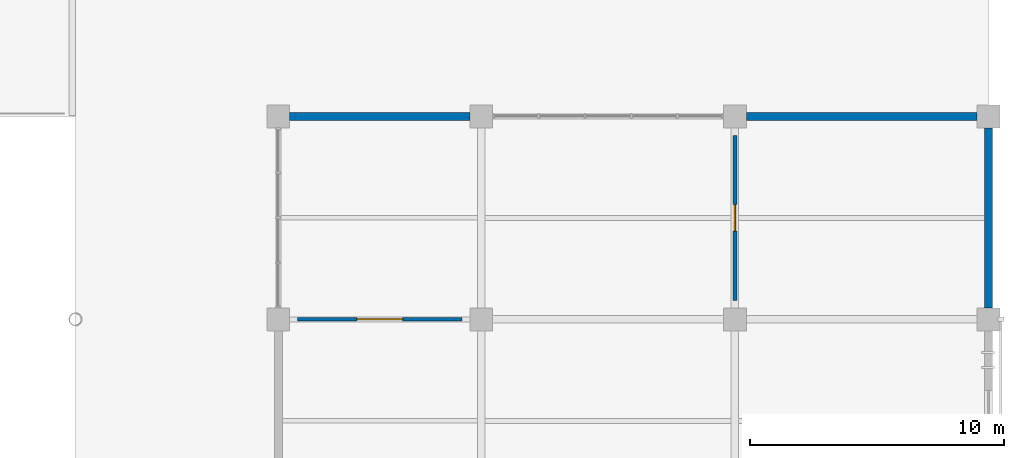
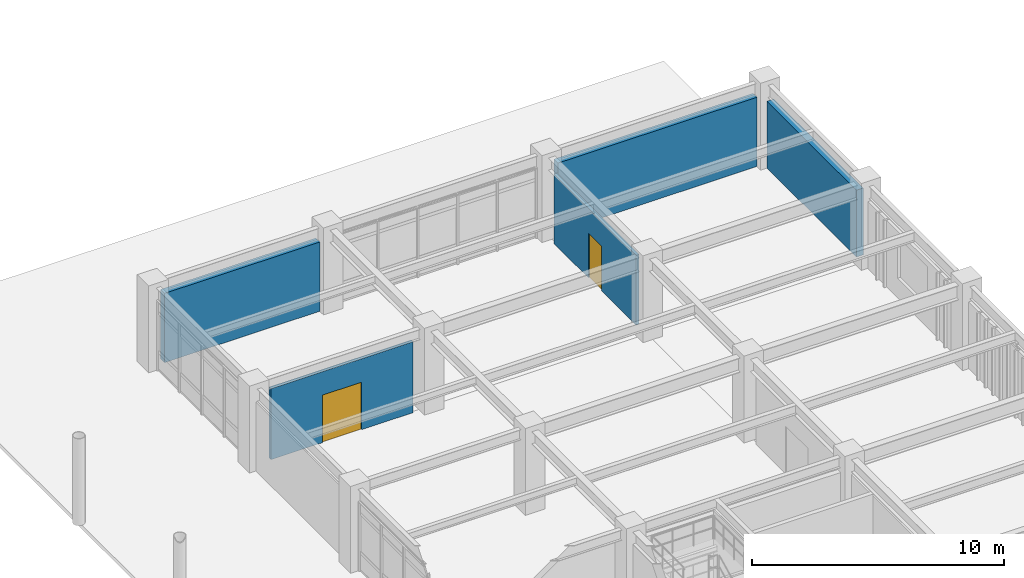
# One storey, part 97 of 118: 5 walls, 2 doors, 2 openings.
"""IFC4 building model written with IfcOpenShell, lengths in metres."""

from ifc_helpers import new_model, si_unit, direction, frame, frame_2d, origin, place, context, subcontext, project, spatial, rectangle, extrude, material, layer, layer_set, type_object, element, fill, save


model = new_model("IFC4")

# Units and contexts
model_context = context("Model", 3, precision=1e-05, world=origin(), true_north=direction((0.0, 1.0)))
body_context = subcontext(model_context, "Body", "Model", "MODEL_VIEW")
ifc_project = project(units=[si_unit("LENGTHUNIT", "METRE"), si_unit("AREAUNIT", "SQUARE_METRE"), si_unit("VOLUMEUNIT", "CUBIC_METRE"), si_unit("PLANEANGLEUNIT", "RADIAN"), si_unit("MASSUNIT", "GRAM", prefix="KILO")], contexts=[model_context])

# Site, building, storey
site_placement = place(None, origin())
site = spatial("IfcSite", under=ifc_project, at=site_placement, CompositionType="ELEMENT")
building_placement = place(site_placement, origin())
building = spatial("IfcBuilding", under=site, at=building_placement, Name="Haebicheon Civic Stadium", CompositionType="ELEMENT")
storey_placement = place(building_placement, frame((0.0, 0.0, 14.39990234375)))
storey = spatial("IfcBuildingStorey", under=building, at=storey_placement, Name="L04", CompositionType="ELEMENT", Elevation=14.39990234375)

# Walls
ifc_material_1 = material(Name="Precast concrete C40/50", Category="concrete")
ifc_layer_1 = layer(ifc_material_1, 0.320068359375, Name="Precast concrete C40/50")
ifc_layer_set_1 = layer_set([ifc_layer_1], Name="Precast concrete C40/50")
wall_type_1 = type_object("IfcWallType", Name="EW-BM-320", PredefinedType="SOLIDWALL", material=ifc_layer_set_1)
wall_1_placement = place(storey_placement, frame((208.449951171875, 136.0, 0.0), z_axis=(0.0, 0.0, 1.0), x_axis=(1.0, 0.0, 0.0)))
element("IfcWall", 1, at=wall_1_placement, inside=storey, type_object=wall_type_1, material=ifc_layer_set_1, Name="L04 board-marked concrete facade wall 26-17-N", PredefinedType="SOLIDWALL", context=body_context, shape_type="SweptSolid", body=[
    extrude(rectangle(XDim=7.10009765625, YDim=0.320068359375, at=frame_2d((3.550048828125, 0.0))), origin(), (0.0, 0.0, 1.0), 3.35009765625),
])
wall_2_placement = place(storey_placement, frame((226.449951171875, 136.0, 0.0), z_axis=(0.0, 0.0, 1.0), x_axis=(1.0, 0.0, 0.0)))
element("IfcWall", 2, at=wall_2_placement, inside=storey, type_object=wall_type_1, material=ifc_layer_set_1, Name="L04 board-marked concrete facade wall 28-17-N", PredefinedType="SOLIDWALL", context=body_context, shape_type="SweptSolid", body=[
    extrude(rectangle(XDim=9.10009765625, YDim=0.320068359375, at=frame_2d((4.550048828125, 0.0))), origin(), (0.0, 0.0, 1.0), 3.35009765625),
])
wall_3_placement = place(storey_placement, frame((236.0, 128.449951171875, 0.0), z_axis=(0.0, 0.0, 1.0), x_axis=(0.0, 1.0, 0.0)))
element("IfcWall", 3, at=wall_3_placement, inside=storey, type_object=wall_type_1, material=ifc_layer_set_1, Name="L04 board-marked concrete facade wall 29-16-E", PredefinedType="SOLIDWALL", context=body_context, shape_type="SweptSolid", body=[
    extrude(rectangle(XDim=7.10009765625, YDim=0.320068359375, at=frame_2d((3.550048828125, 0.0))), origin(), (0.0, 0.0, 1.0), 3.22998046875),
])

# Wall, opening, door
ifc_material_2 = material(Name="Gypsum plasterboard on steel studs", Category="gypsum")
ifc_layer_2 = layer(ifc_material_2, 0.14990234375, Name="Gypsum plasterboard on steel studs")
ifc_layer_set_2 = layer_set([ifc_layer_2], Name="Gypsum plasterboard on steel studs")
wall_type_2 = type_object("IfcWallType", Name="IW-PRT-150", PredefinedType="PARTITIONING", material=ifc_layer_set_2)
wall_4_placement = place(storey_placement, frame((208.75, 128.0, 0.0), z_axis=(0.0, 0.0, 1.0), x_axis=(1.0, 0.0, 0.0)))
wall_4 = element("IfcWall", 4, at=wall_4_placement, inside=storey, type_object=wall_type_2, material=ifc_layer_set_2, Name="L04 Warm-Up Field Viewing Lounge partition wall", PredefinedType="PARTITIONING", context=body_context, shape_type="SweptSolid", body=[
    extrude(rectangle(XDim=6.5, YDim=0.14990234375, at=frame_2d((3.25, 0.0))), origin(), (0.0, 0.0, 1.0), 3.43017578125),
])
opening_1_placement = place(wall_4_placement, frame((2.35009765625, 0.0, 0.0)))
opening_1 = element("IfcOpeningElement", 5, at=opening_1_placement, cuts=wall_4, Name="Opening D-L04-403", PredefinedType="OPENING", context=body_context, shape_type="SweptSolid", body=[
    extrude(rectangle(XDim=1.800048828125, YDim=2.300048828125, at=frame_2d((0.89990234375, 1.14990234375))), frame((0.0, 0.0849609375, 0.0), z_axis=(0.0, -1.0, 0.0), x_axis=(1.0, 0.0, 0.0)), (0.0, 0.0, 1.0), 0.169921875),
])
ifc_material_3 = material(Name="Galvanised painted steel SM355", Category="steel")
door_type_1 = type_object("IfcDoorType", Name="ID-DBL-1800", OperationType="NOTDEFINED", PredefinedType="DOOR", material=ifc_material_3)
door_1_placement = place(opening_1_placement, origin())
door_1 = element("IfcDoor", 6, at=door_1_placement, inside=storey, type_object=door_type_1, material=ifc_material_3, Name="L04 Warm-Up Field Viewing Lounge entrance door D-L04-403", OperationType="DOUBLE_SWING_LEFT", OverallHeight=2.300048828125, OverallWidth=1.800048828125, PredefinedType="DOOR", context=body_context, shape_type="SweptSolid", body=[
    extrude(rectangle(XDim=1.800048828125, YDim=2.300048828125, at=frame_2d((0.89990234375, 1.14990234375))), frame((0.0, 0.02490234375, 0.0), z_axis=(0.0, -1.0, 0.0), x_axis=(1.0, 0.0, 0.0)), (0.0, 0.0, 1.0), 0.050048828125),
])
fill(opening_1, door_1)

wall_5_placement = place(storey_placement, frame((226.0, 128.75, 0.0), z_axis=(0.0, 0.0, 1.0), x_axis=(0.0, 1.0, 0.0)))
wall_5 = element("IfcWall", 7, at=wall_5_placement, inside=storey, type_object=wall_type_2, material=ifc_layer_set_2, Name="L04 Community Club Suite partition wall", PredefinedType="PARTITIONING", context=body_context, shape_type="SweptSolid", body=[
    extrude(rectangle(XDim=6.5, YDim=0.14990234375, at=frame_2d((3.25, 0.0))), origin(), (0.0, 0.0, 1.0), 3.3701171875),
])
opening_2_placement = place(wall_5_placement, frame((2.72509765625, 0.0, 0.0)))
opening_2 = element("IfcOpeningElement", 8, at=opening_2_placement, cuts=wall_5, Name="Opening D-L04-410", PredefinedType="OPENING", context=body_context, shape_type="SweptSolid", body=[
    extrude(rectangle(XDim=1.050048828125, YDim=2.14990234375, at=frame_2d((0.52490234375, 1.074951171875))), frame((0.0, 0.0849609375, 0.0), z_axis=(0.0, -1.0, 0.0), x_axis=(1.0, 0.0, 0.0)), (0.0, 0.0, 1.0), 0.169921875),
])
ifc_material_4 = material(Name="Engineered hardwood timber", Category="wood")
door_type_2 = type_object("IfcDoorType", Name="ID-RM-1050", OperationType="NOTDEFINED", PredefinedType="DOOR", material=ifc_material_4)
door_2_placement = place(opening_2_placement, origin())
door_2 = element("IfcDoor", 9, at=door_2_placement, inside=storey, type_object=door_type_2, material=ifc_material_4, Name="L04 Community Club Suite entrance door D-L04-410", OperationType="SINGLE_SWING_RIGHT", OverallHeight=2.14990234375, OverallWidth=1.050048828125, PredefinedType="DOOR", context=body_context, shape_type="SweptSolid", body=[
    extrude(rectangle(XDim=1.050048828125, YDim=2.14990234375, at=frame_2d((0.52490234375, 1.074951171875))), frame((0.0, 0.02490234375, 0.0), z_axis=(0.0, -1.0, 0.0), x_axis=(1.0, 0.0, 0.0)), (0.0, 0.0, 1.0), 0.050048828125),
])
fill(opening_2, door_2)

save(model, "model.ifc")
